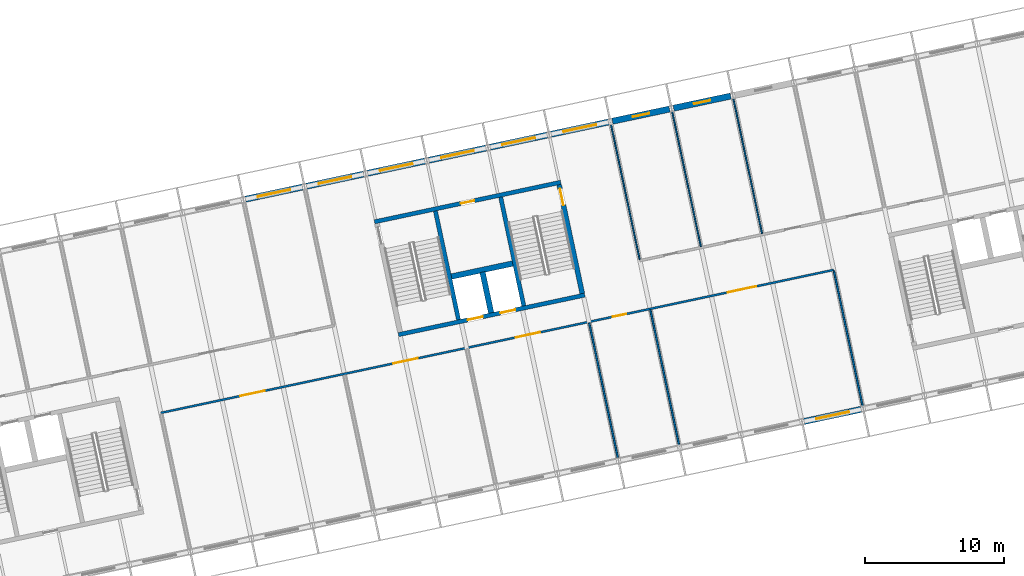
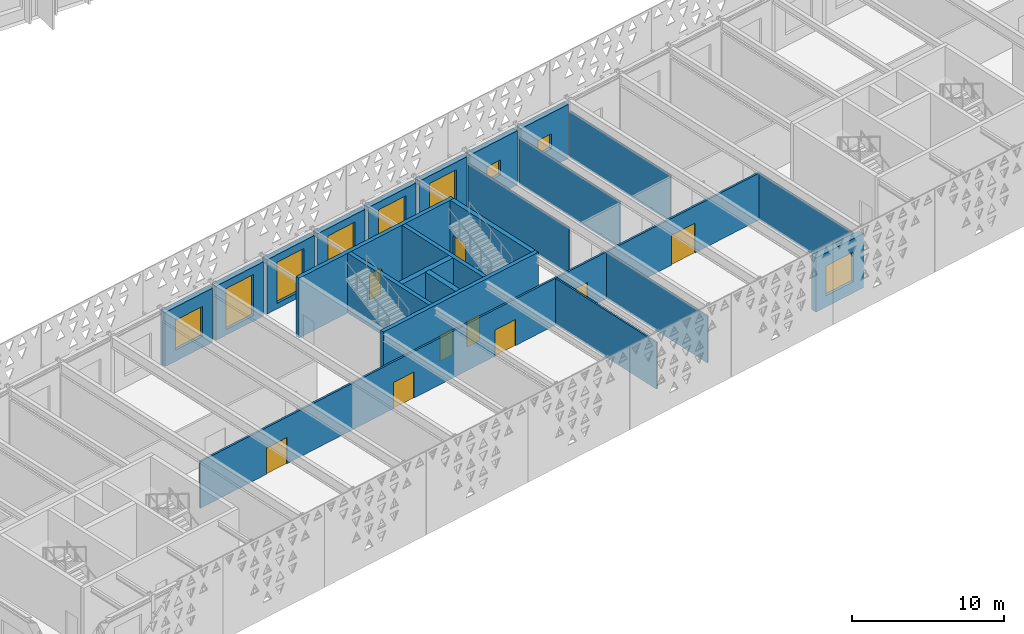
# One storey, part 124 of 182: 23 walls, 9 doors, 9 windows, 18 openings.
"""IFC4 building model written with IfcOpenShell, lengths in metres."""

from ifc_helpers import new_model, si_unit, direction, frame, frame_2d, origin, place, context, subcontext, project, spatial, rectangle, extrude, material, layer, layer_set, type_object, element, fill, save


model = new_model("IFC4")

# Units and contexts
model_context = context("Model", 3, precision=1e-05, world=origin(), true_north=direction((0.0, 1.0)))
body_context = subcontext(model_context, "Body", "Model", "MODEL_VIEW")
ifc_project = project(units=[si_unit("LENGTHUNIT", "METRE"), si_unit("AREAUNIT", "SQUARE_METRE"), si_unit("VOLUMEUNIT", "CUBIC_METRE"), si_unit("PLANEANGLEUNIT", "RADIAN"), si_unit("MASSUNIT", "GRAM", prefix="KILO")], contexts=[model_context])

# Site, building, storey
site_placement = place(None, origin())
site = spatial("IfcSite", under=ifc_project, at=site_placement, CompositionType="ELEMENT")
building_placement = place(site_placement, origin())
building = spatial("IfcBuilding", under=site, at=building_placement, Name="Okhra Congress Centre", CompositionType="ELEMENT")
storey_placement = place(building_placement, frame((0.0, 0.0, 7.199951171875)))
storey = spatial("IfcBuildingStorey", under=building, at=storey_placement, Name="L01", CompositionType="ELEMENT", Elevation=7.199951171875)

# Wall, opening, window
ifc_material_1 = material(Name="Insulated metal panel on steel stud (mineral wool, vapour barrier)", Category="steel")
ifc_layer_1 = layer(ifc_material_1, 0.449951171875)
ifc_layer_set_1 = layer_set([ifc_layer_1], Name="Insulated wall 450")
wall_type_1 = type_object("IfcWallType", Name="Insulated wall 450", PredefinedType="SOLIDWALL", material=ifc_layer_set_1)
wall_1_placement = place(storey_placement, frame((127.1826171875, 40.87451171875, 0.0), z_axis=(0.0, 0.0, 1.0), x_axis=(0.978146440129, 0.207917150959, 0.0)))
wall_1 = element("IfcWall", 1, at=wall_1_placement, inside=storey, type_object=wall_type_1, Name="External wall S16 L01", PredefinedType="SOLIDWALL", context=body_context, shape_type="SweptSolid", body=[
    extrude(rectangle(XDim=4.2001953125, YDim=0.449951171875, at=frame_2d((2.10009765625, 0.0))), origin(), (0.0, 0.0, 1.0), 4.35009765625),
])
opening_1_placement = place(wall_1_placement, frame((0.89990234375, 0.0, 0.89990234375)))
opening_1 = element("IfcOpeningElement", 2, at=opening_1_placement, cuts=wall_1, Name="Opening WN22", PredefinedType="OPENING", context=body_context, shape_type="SweptSolid", body=[
    extrude(rectangle(XDim=2.39990234375, YDim=2.39990234375, at=frame_2d((1.199951171875, 1.199951171875))), frame((0.0, 0.23486328125, 0.0), z_axis=(0.0, -1.0, 0.0), x_axis=(1.0, 0.0, 0.0)), (0.0, 0.0, 1.0), 0.469970703125),
])
ifc_material_2 = material(Name="Thermally broken aluminium frame, triple glazing", Category="aluminium")
window_type_1 = type_object("IfcWindowType", Name="Fixed window 2400x2400", PartitioningType="SINGLE_PANEL", PredefinedType="WINDOW", material=ifc_material_2)
window_1_placement = place(opening_1_placement, origin())
window_1 = element("IfcWindow", 3, at=window_1_placement, inside=storey, type_object=window_type_1, Name="BX.WIN.L01.16", OverallHeight=2.39990234375, OverallWidth=2.39990234375, PartitioningType="SINGLE_PANEL", PredefinedType="WINDOW", context=body_context, shape_type="SweptSolid", body=[
    extrude(rectangle(XDim=2.39990234375, YDim=2.39990234375, at=frame_2d((1.199951171875, 1.199951171875))), frame((0.0, 0.030029296875, 0.0), z_axis=(0.0, -1.0, 0.0), x_axis=(1.0, 0.0, 0.0)), (0.0, 0.0, 1.0), 0.06005859375),
])
fill(opening_1, window_1)

wall_2_placement = place(storey_placement, frame((86.9794921875, 56.865234375, 0.0), z_axis=(0.0, 0.0, 1.0), x_axis=(0.978143927149, 0.207928972925, 0.0)))
wall_2 = element("IfcWall", 4, at=wall_2_placement, inside=storey, type_object=wall_type_1, Name="External wall N8 L01", PredefinedType="SOLIDWALL", context=body_context, shape_type="SweptSolid", body=[
    extrude(rectangle(XDim=4.199951171875, YDim=0.449951171875, at=frame_2d((2.10009765625, 0.0))), origin(), (0.0, 0.0, 1.0), 4.35009765625),
])
opening_2_placement = place(wall_2_placement, frame((0.89990234375, 0.0, 0.89990234375)))
opening_2 = element("IfcOpeningElement", 5, at=opening_2_placement, cuts=wall_2, Name="Opening WN22", PredefinedType="OPENING", context=body_context, shape_type="SweptSolid", body=[
    extrude(rectangle(XDim=2.39990234375, YDim=2.39990234375, at=frame_2d((1.199951171875, 1.199951171875))), frame((0.0, 0.23486328125, 0.0), z_axis=(0.0, -1.0, 0.0), x_axis=(1.0, 0.0, 0.0)), (0.0, 0.0, 1.0), 0.469970703125),
])
window_2_placement = place(opening_2_placement, origin())
window_2 = element("IfcWindow", 6, at=window_2_placement, inside=storey, type_object=window_type_1, Name="BX.WIN.L01.44", OverallHeight=2.39990234375, OverallWidth=2.39990234375, PartitioningType="SINGLE_PANEL", PredefinedType="WINDOW", context=body_context, shape_type="SweptSolid", body=[
    extrude(rectangle(XDim=2.39990234375, YDim=2.39990234375, at=frame_2d((1.199951171875, 1.199951171875))), frame((0.0, 0.030029296875, 0.0), z_axis=(0.0, -1.0, 0.0), x_axis=(1.0, 0.0, 0.0)), (0.0, 0.0, 1.0), 0.06005859375),
])
fill(opening_2, window_2)

wall_3_placement = place(storey_placement, frame((91.381103515625, 57.80078125, 0.0), z_axis=(0.0, 0.0, 1.0), x_axis=(0.978143927149, 0.207928972925, 0.0)))
wall_3 = element("IfcWall", 7, at=wall_3_placement, inside=storey, type_object=wall_type_1, Name="External wall N9 L01", PredefinedType="SOLIDWALL", context=body_context, shape_type="SweptSolid", body=[
    extrude(rectangle(XDim=4.199951171875, YDim=0.449951171875, at=frame_2d((2.10009765625, 0.0))), origin(), (0.0, 0.0, 1.0), 4.35009765625),
])
opening_3_placement = place(wall_3_placement, frame((0.89990234375, 0.0, 0.449951171875)))
opening_3 = element("IfcOpeningElement", 8, at=opening_3_placement, cuts=wall_3, Name="Opening WN21", PredefinedType="OPENING", context=body_context, shape_type="SweptSolid", body=[
    extrude(rectangle(XDim=2.39990234375, YDim=3.300048828125, at=frame_2d((1.199951171875, 1.64990234375))), frame((0.0, 0.23486328125, 0.0), z_axis=(0.0, -1.0, 0.0), x_axis=(1.0, 0.0, 0.0)), (0.0, 0.0, 1.0), 0.469970703125),
])
window_type_2 = type_object("IfcWindowType", Name="Two-light window 2400x3300", PartitioningType="DOUBLE_PANEL_VERTICAL", PredefinedType="WINDOW", material=ifc_material_2)
window_3_placement = place(opening_3_placement, origin())
window_3 = element("IfcWindow", 9, at=window_3_placement, inside=storey, type_object=window_type_2, Name="BX.WIN.L01.45", OverallHeight=3.300048828125, OverallWidth=2.39990234375, PartitioningType="DOUBLE_PANEL_VERTICAL", PredefinedType="WINDOW", context=body_context, shape_type="SweptSolid", body=[
    extrude(rectangle(XDim=2.39990234375, YDim=3.300048828125, at=frame_2d((1.199951171875, 1.64990234375))), frame((0.0, 0.030029296875, 0.0), z_axis=(0.0, -1.0, 0.0), x_axis=(1.0, 0.0, 0.0)), (0.0, 0.0, 1.0), 0.06005859375),
])
fill(opening_3, window_3)

wall_4_placement = place(storey_placement, frame((95.78271484375, 58.736328125, 0.0), z_axis=(0.0, 0.0, 1.0), x_axis=(0.978146440129, 0.207917150959, 0.0)))
wall_4 = element("IfcWall", 10, at=wall_4_placement, inside=storey, type_object=wall_type_1, Name="External wall N10 L01", PredefinedType="SOLIDWALL", context=body_context, shape_type="SweptSolid", body=[
    extrude(rectangle(XDim=4.2001953125, YDim=0.449951171875, at=frame_2d((2.10009765625, 0.0))), origin(), (0.0, 0.0, 1.0), 4.35009765625),
])
opening_4_placement = place(wall_4_placement, frame((0.89990234375, 0.0, 0.449951171875)))
opening_4 = element("IfcOpeningElement", 11, at=opening_4_placement, cuts=wall_4, Name="Opening WN21", PredefinedType="OPENING", context=body_context, shape_type="SweptSolid", body=[
    extrude(rectangle(XDim=2.39990234375, YDim=3.300048828125, at=frame_2d((1.199951171875, 1.64990234375))), frame((0.0, 0.23486328125, 0.0), z_axis=(0.0, -1.0, 0.0), x_axis=(1.0, 0.0, 0.0)), (0.0, 0.0, 1.0), 0.469970703125),
])
window_4_placement = place(opening_4_placement, origin())
window_4 = element("IfcWindow", 12, at=window_4_placement, inside=storey, type_object=window_type_2, Name="BX.WIN.L01.46", OverallHeight=3.300048828125, OverallWidth=2.39990234375, PartitioningType="DOUBLE_PANEL_VERTICAL", PredefinedType="WINDOW", context=body_context, shape_type="SweptSolid", body=[
    extrude(rectangle(XDim=2.39990234375, YDim=3.300048828125, at=frame_2d((1.199951171875, 1.64990234375))), frame((0.0, 0.030029296875, 0.0), z_axis=(0.0, -1.0, 0.0), x_axis=(1.0, 0.0, 0.0)), (0.0, 0.0, 1.0), 0.06005859375),
])
fill(opening_4, window_4)

wall_5_placement = place(storey_placement, frame((100.1845703125, 59.671875, 0.0), z_axis=(0.0, 0.0, 1.0), x_axis=(0.978143927149, 0.207928972925, 0.0)))
wall_5 = element("IfcWall", 13, at=wall_5_placement, inside=storey, type_object=wall_type_1, Name="External wall N11 L01", PredefinedType="SOLIDWALL", context=body_context, shape_type="SweptSolid", body=[
    extrude(rectangle(XDim=4.199951171875, YDim=0.449951171875, at=frame_2d((2.10009765625, 0.0))), origin(), (0.0, 0.0, 1.0), 4.35009765625),
])
opening_5_placement = place(wall_5_placement, frame((0.89990234375, 0.0, 0.449951171875)))
opening_5 = element("IfcOpeningElement", 14, at=opening_5_placement, cuts=wall_5, Name="Opening WN21", PredefinedType="OPENING", context=body_context, shape_type="SweptSolid", body=[
    extrude(rectangle(XDim=2.39990234375, YDim=3.300048828125, at=frame_2d((1.199951171875, 1.64990234375))), frame((0.0, 0.23486328125, 0.0), z_axis=(0.0, -1.0, 0.0), x_axis=(1.0, 0.0, 0.0)), (0.0, 0.0, 1.0), 0.469970703125),
])
window_5_placement = place(opening_5_placement, origin())
window_5 = element("IfcWindow", 15, at=window_5_placement, inside=storey, type_object=window_type_2, Name="BX.WIN.L01.47", OverallHeight=3.300048828125, OverallWidth=2.39990234375, PartitioningType="DOUBLE_PANEL_VERTICAL", PredefinedType="WINDOW", context=body_context, shape_type="SweptSolid", body=[
    extrude(rectangle(XDim=2.39990234375, YDim=3.300048828125, at=frame_2d((1.199951171875, 1.64990234375))), frame((0.0, 0.030029296875, 0.0), z_axis=(0.0, -1.0, 0.0), x_axis=(1.0, 0.0, 0.0)), (0.0, 0.0, 1.0), 0.06005859375),
])
fill(opening_5, window_5)

wall_6_placement = place(storey_placement, frame((104.586181640625, 60.607666015625, 0.0), z_axis=(0.0, 0.0, 1.0), x_axis=(0.978155748334, 0.207873355681, 0.0)))
wall_6 = element("IfcWall", 16, at=wall_6_placement, inside=storey, type_object=wall_type_1, Name="External wall N12 L01", PredefinedType="SOLIDWALL", context=body_context, shape_type="SweptSolid", body=[
    extrude(rectangle(XDim=4.199951171875, YDim=0.449951171875, at=frame_2d((2.10009765625, 0.0))), origin(), (0.0, 0.0, 1.0), 4.35009765625),
])
opening_6_placement = place(wall_6_placement, frame((0.89990234375, 0.0, 0.449951171875)))
opening_6 = element("IfcOpeningElement", 17, at=opening_6_placement, cuts=wall_6, Name="Opening WN21", PredefinedType="OPENING", context=body_context, shape_type="SweptSolid", body=[
    extrude(rectangle(XDim=2.39990234375, YDim=3.300048828125, at=frame_2d((1.199951171875, 1.64990234375))), frame((0.0, 0.23486328125, 0.0), z_axis=(0.0, -1.0, 0.0), x_axis=(1.0, 0.0, 0.0)), (0.0, 0.0, 1.0), 0.469970703125),
])
window_6_placement = place(opening_6_placement, origin())
window_6 = element("IfcWindow", 18, at=window_6_placement, inside=storey, type_object=window_type_2, Name="BX.WIN.L01.48", OverallHeight=3.300048828125, OverallWidth=2.39990234375, PartitioningType="DOUBLE_PANEL_VERTICAL", PredefinedType="WINDOW", context=body_context, shape_type="SweptSolid", body=[
    extrude(rectangle(XDim=2.39990234375, YDim=3.300048828125, at=frame_2d((1.199951171875, 1.64990234375))), frame((0.0, 0.030029296875, 0.0), z_axis=(0.0, -1.0, 0.0), x_axis=(1.0, 0.0, 0.0)), (0.0, 0.0, 1.0), 0.06005859375),
])
fill(opening_6, window_6)

wall_7_placement = place(storey_placement, frame((108.98779296875, 61.543212890625, 0.0), z_axis=(0.0, 0.0, 1.0), x_axis=(0.978143927149, 0.207928972925, 0.0)))
wall_7 = element("IfcWall", 19, at=wall_7_placement, inside=storey, type_object=wall_type_1, Name="External wall N13 L01", PredefinedType="SOLIDWALL", context=body_context, shape_type="SweptSolid", body=[
    extrude(rectangle(XDim=4.199951171875, YDim=0.449951171875, at=frame_2d((2.10009765625, 0.0))), origin(), (0.0, 0.0, 1.0), 4.35009765625),
])
opening_7_placement = place(wall_7_placement, frame((0.89990234375, 0.0, 0.449951171875)))
opening_7 = element("IfcOpeningElement", 20, at=opening_7_placement, cuts=wall_7, Name="Opening WN21", PredefinedType="OPENING", context=body_context, shape_type="SweptSolid", body=[
    extrude(rectangle(XDim=2.39990234375, YDim=3.300048828125, at=frame_2d((1.199951171875, 1.64990234375))), frame((0.0, 0.23486328125, 0.0), z_axis=(0.0, -1.0, 0.0), x_axis=(1.0, 0.0, 0.0)), (0.0, 0.0, 1.0), 0.469970703125),
])
window_7_placement = place(opening_7_placement, origin())
window_7 = element("IfcWindow", 21, at=window_7_placement, inside=storey, type_object=window_type_2, Name="BX.WIN.L01.49", OverallHeight=3.300048828125, OverallWidth=2.39990234375, PartitioningType="DOUBLE_PANEL_VERTICAL", PredefinedType="WINDOW", context=body_context, shape_type="SweptSolid", body=[
    extrude(rectangle(XDim=2.39990234375, YDim=3.300048828125, at=frame_2d((1.199951171875, 1.64990234375))), frame((0.0, 0.030029296875, 0.0), z_axis=(0.0, -1.0, 0.0), x_axis=(1.0, 0.0, 0.0)), (0.0, 0.0, 1.0), 0.06005859375),
])
fill(opening_7, window_7)

wall_8_placement = place(storey_placement, frame((113.389404296875, 62.478759765625, 0.0), z_axis=(0.0, 0.0, 1.0), x_axis=(0.978146440129, 0.207917150959, 0.0)))
wall_8 = element("IfcWall", 22, at=wall_8_placement, inside=storey, type_object=wall_type_1, Name="External wall N14 L01", PredefinedType="SOLIDWALL", context=body_context, shape_type="SweptSolid", body=[
    extrude(rectangle(XDim=4.2001953125, YDim=0.449951171875, at=frame_2d((2.10009765625, 0.0))), origin(), (0.0, 0.0, 1.0), 4.35009765625),
])
opening_8_placement = place(wall_8_placement, frame((1.5, 0.0, 1.5)))
opening_8 = element("IfcOpeningElement", 23, at=opening_8_placement, cuts=wall_8, Name="Opening WN24", PredefinedType="OPENING", context=body_context, shape_type="SweptSolid", body=[
    extrude(rectangle(XDim=1.199951171875, YDim=1.199951171875, at=frame_2d((0.60009765625, 0.60009765625))), frame((0.0, 0.23486328125, 0.0), z_axis=(0.0, -1.0, 0.0), x_axis=(1.0, 0.0, 0.0)), (0.0, 0.0, 1.0), 0.469970703125),
])
window_type_3 = type_object("IfcWindowType", Name="Tilt-and-turn window 1200x1200", PartitioningType="SINGLE_PANEL", PredefinedType="WINDOW", material=ifc_material_2)
window_8_placement = place(opening_8_placement, origin())
window_8 = element("IfcWindow", 24, at=window_8_placement, inside=storey, type_object=window_type_3, Name="BX.WIN.L01.50", OverallHeight=1.199951171875, OverallWidth=1.199951171875, PartitioningType="SINGLE_PANEL", PredefinedType="WINDOW", context=body_context, shape_type="SweptSolid", body=[
    extrude(rectangle(XDim=1.199951171875, YDim=1.199951171875, at=frame_2d((0.60009765625, 0.60009765625))), frame((0.0, 0.030029296875, 0.0), z_axis=(0.0, -1.0, 0.0), x_axis=(1.0, 0.0, 0.0)), (0.0, 0.0, 1.0), 0.06005859375),
])
fill(opening_8, window_8)

wall_9_placement = place(storey_placement, frame((117.791015625, 63.414306640625, 0.0), z_axis=(0.0, 0.0, 1.0), x_axis=(0.978146440129, 0.207917150959, 0.0)))
wall_9 = element("IfcWall", 25, at=wall_9_placement, inside=storey, type_object=wall_type_1, Name="External wall N15 L01", PredefinedType="SOLIDWALL", context=body_context, shape_type="SweptSolid", body=[
    extrude(rectangle(XDim=4.2001953125, YDim=0.449951171875, at=frame_2d((2.10009765625, 0.0))), origin(), (0.0, 0.0, 1.0), 4.35009765625),
])
opening_9_placement = place(wall_9_placement, frame((1.5, 0.0, 1.5)))
opening_9 = element("IfcOpeningElement", 26, at=opening_9_placement, cuts=wall_9, Name="Opening WN24", PredefinedType="OPENING", context=body_context, shape_type="SweptSolid", body=[
    extrude(rectangle(XDim=1.199951171875, YDim=1.199951171875, at=frame_2d((0.60009765625, 0.60009765625))), frame((0.0, 0.23486328125, 0.0), z_axis=(0.0, -1.0, 0.0), x_axis=(1.0, 0.0, 0.0)), (0.0, 0.0, 1.0), 0.469970703125),
])
window_9_placement = place(opening_9_placement, origin())
window_9 = element("IfcWindow", 27, at=window_9_placement, inside=storey, type_object=window_type_3, Name="BX.WIN.L01.51", OverallHeight=1.199951171875, OverallWidth=1.199951171875, PartitioningType="SINGLE_PANEL", PredefinedType="WINDOW", context=body_context, shape_type="SweptSolid", body=[
    extrude(rectangle(XDim=1.199951171875, YDim=1.199951171875, at=frame_2d((0.60009765625, 0.60009765625))), frame((0.0, 0.030029296875, 0.0), z_axis=(0.0, -1.0, 0.0), x_axis=(1.0, 0.0, 0.0)), (0.0, 0.0, 1.0), 0.06005859375),
])
fill(opening_9, window_9)

# Walls
ifc_material_3 = material(Name="Gypsum board on steel studs", Category="steel")
ifc_layer_2 = layer(ifc_material_3, 0.10009765625)
ifc_layer_set_2 = layer_set([ifc_layer_2], Name="Partition 100")
wall_type_2 = type_object("IfcWallType", Name="Partition 100", PredefinedType="PARTITIONING", material=ifc_layer_set_2)
for number, where, z_axis, x_axis, name in (
    (28, (113.28955078125, 62.2275390625, 0.0), (0.0, 0.0, 1.0), (0.20790935802, -0.978148096582, 0.0), "Partition N L01"),
    (29, (117.691162109375, 63.1630859375, 0.0), (0.0, 0.0, 1.0), (0.20790935802, -0.978148096582, 0.0), "Partition N L01"),
):
    element("IfcWall", number, at=place(storey_placement, frame(where, z_axis=z_axis, x_axis=x_axis)), inside=storey, type_object=wall_type_2, Name=name, PredefinedType="PARTITIONING", context=body_context, shape_type="SweptSolid", body=[
        extrude(rectangle(XDim=9.9248046875, YDim=0.10009765625, at=frame_2d((4.96240234375, 0.0))), origin(), (0.0, 0.0, 1.0), 3.75),
    ])
wall_10_placement = place(storey_placement, frame((122.0927734375, 64.0986328125, 0.0), z_axis=(0.0, 0.0, 1.0), x_axis=(0.207932893358, -0.978143093754, 0.0)))
element("IfcWall", 30, at=wall_10_placement, inside=storey, type_object=wall_type_2, Name="Partition N L01", PredefinedType="PARTITIONING", context=body_context, shape_type="SweptSolid", body=[
    extrude(rectangle(XDim=9.925048828125, YDim=0.10009765625, at=frame_2d((4.96240234375, 0.0))), origin(), (0.0, 0.0, 1.0), 3.75),
])
ifc_layer_3 = layer(ifc_material_3, 0.125)
ifc_layer_set_3 = layer_set([ifc_layer_3], Name="Partition 125")
wall_type_3 = type_object("IfcWallType", Name="Partition 125", PredefinedType="PARTITIONING", material=ifc_layer_set_3)
wall_11_placement = place(storey_placement, frame((131.390869140625, 41.9990234375, 0.0), z_axis=(0.0, 0.0, 1.0), x_axis=(-0.20790935802, 0.978148096582, 0.0)))
element("IfcWall", 31, at=wall_11_placement, inside=storey, type_object=wall_type_3, Name="Partition S L01", PredefinedType="PARTITIONING", context=body_context, shape_type="SweptSolid", body=[
    extrude(rectangle(XDim=9.9248046875, YDim=0.125, at=frame_2d((4.96240234375, 0.0))), origin(), (0.0, 0.0, 1.0), 3.75),
])
ifc_layer_4 = layer(ifc_material_3, 0.125)
ifc_layer_set_4 = layer_set([ifc_layer_4], Name="Partition 125 EI 45")
wall_type_4 = type_object("IfcWallType", Name="Partition 125 EI 45", PredefinedType="PARTITIONING", material=ifc_layer_set_4)
wall_12_placement = place(storey_placement, frame((113.7841796875, 38.256591796875, 0.0), z_axis=(0.0, 0.0, 1.0), x_axis=(-0.20790935802, 0.978148096582, 0.0)))
element("IfcWall", 32, at=wall_12_placement, inside=storey, type_object=wall_type_4, Name="Partition S L01", PredefinedType="PARTITIONING", context=body_context, shape_type="SweptSolid", body=[
    extrude(rectangle(XDim=9.9248046875, YDim=0.125, at=frame_2d((4.96240234375, 0.0))), origin(), (0.0, 0.0, 1.0), 3.75),
])
wall_13_placement = place(storey_placement, frame((118.185791015625, 39.192138671875, 0.0), z_axis=(0.0, 0.0, 1.0), x_axis=(-0.207904355568, 0.978149159861, 0.0)))
element("IfcWall", 33, at=wall_13_placement, inside=storey, type_object=wall_type_4, Name="Partition S L01", PredefinedType="PARTITIONING", context=body_context, shape_type="SweptSolid", body=[
    extrude(rectangle(XDim=9.925048828125, YDim=0.125, at=frame_2d((4.96240234375, 0.0))), origin(), (0.0, 0.0, 1.0), 3.75),
])

# Wall, openings, doors
ifc_layer_5 = layer(ifc_material_3, 0.14990234375)
ifc_layer_set_5 = layer_set([ifc_layer_5], Name="Partition 150 EI 15")
wall_type_5 = type_object("IfcWallType", Name="Partition 150 EI 15", PredefinedType="PARTITIONING", material=ifc_layer_set_5)
wall_14_placement = place(storey_placement, frame((80.893310546875, 41.48876953125, 0.0), z_axis=(0.0, 0.0, 1.0), x_axis=(0.97814724207, 0.20791337819, 0.0)))
wall_14 = element("IfcWall", 34, at=wall_14_placement, inside=storey, type_object=wall_type_5, Name="Corridor wall S1 L01", PredefinedType="PARTITIONING", context=body_context, shape_type="SweptSolid", body=[
    extrude(rectangle(XDim=49.500244140625, YDim=0.14990234375, at=frame_2d((24.75, 0.0))), origin(), (0.0, 0.0, 1.0), 3.75),
])
opening_10_placement = place(wall_14_placement, frame((5.85009765625, 0.0, 0.0)))
opening_10 = element("IfcOpeningElement", 35, at=opening_10_placement, cuts=wall_14, Name="Opening L01-122", PredefinedType="OPENING", context=body_context, shape_type="SweptSolid", body=[
    extrude(rectangle(XDim=1.800048828125, YDim=2.10009765625, at=frame_2d((0.89990234375, 1.050048828125))), frame((0.0, 0.0849609375, 0.0), z_axis=(0.0, -1.0, 0.0), x_axis=(1.0, 0.0, 0.0)), (0.0, 0.0, 1.0), 0.169921875),
])
opening_11_placement = place(wall_14_placement, frame((17.10009765625, 0.0, 0.0)))
opening_11 = element("IfcOpeningElement", 36, at=opening_11_placement, cuts=wall_14, Name="Opening L01-123", PredefinedType="OPENING", context=body_context, shape_type="SweptSolid", body=[
    extrude(rectangle(XDim=1.800048828125, YDim=2.10009765625, at=frame_2d((0.89990234375, 1.050048828125))), frame((0.0, 0.0849609375, 0.0), z_axis=(0.0, -1.0, 0.0), x_axis=(1.0, 0.0, 0.0)), (0.0, 0.0, 1.0), 0.169921875),
])
opening_12_placement = place(wall_14_placement, frame((26.10009765625, 0.0, 0.0)))
opening_12 = element("IfcOpeningElement", 37, at=opening_12_placement, cuts=wall_14, Name="Opening L01-124", PredefinedType="OPENING", context=body_context, shape_type="SweptSolid", body=[
    extrude(rectangle(XDim=1.800048828125, YDim=2.10009765625, at=frame_2d((0.89990234375, 1.050048828125))), frame((0.0, 0.0849609375, 0.0), z_axis=(0.0, -1.0, 0.0), x_axis=(1.0, 0.0, 0.0)), (0.0, 0.0, 1.0), 0.169921875),
])
opening_13_placement = place(wall_14_placement, frame((33.25, 0.0, 0.0)))
opening_13 = element("IfcOpeningElement", 38, at=opening_13_placement, cuts=wall_14, Name="Opening L01-125", PredefinedType="OPENING", context=body_context, shape_type="SweptSolid", body=[
    extrude(rectangle(XDim=1.0, YDim=2.10009765625, at=frame_2d((0.5, 1.050048828125))), frame((0.0, 0.0849609375, 0.0), z_axis=(0.0, -1.0, 0.0), x_axis=(1.0, 0.0, 0.0)), (0.0, 0.0, 1.0), 0.169921875),
])
opening_14_placement = place(wall_14_placement, frame((41.699951171875, 0.0, 0.0)))
opening_14 = element("IfcOpeningElement", 39, at=opening_14_placement, cuts=wall_14, Name="Opening L01-126", PredefinedType="OPENING", context=body_context, shape_type="SweptSolid", body=[
    extrude(rectangle(XDim=2.10009765625, YDim=2.39990234375, at=frame_2d((1.050048828125, 1.199951171875))), frame((0.0, 0.0849609375, 0.0), z_axis=(0.0, -1.0, 0.0), x_axis=(1.0, 0.0, 0.0)), (0.0, 0.0, 1.0), 0.169921875),
])
ifc_material_4 = material(Name="Timber door leaves in steel frame", Category="steel")
door_type_1 = type_object("IfcDoorType", Name="Double swing door 1800x2100", OperationType="NOTDEFINED", PredefinedType="DOOR", material=ifc_material_4)
door_1_placement = place(opening_10_placement, origin())
door_1 = element("IfcDoor", 40, at=door_1_placement, inside=storey, type_object=door_type_1, Name="Door L01-122", OperationType="DOUBLE_DOOR_SINGLE_SWING", OverallHeight=2.10009765625, OverallWidth=1.800048828125, PredefinedType="DOOR", context=body_context, shape_type="SweptSolid", body=[
    extrude(rectangle(XDim=1.800048828125, YDim=2.10009765625, at=frame_2d((0.89990234375, 1.050048828125))), frame((0.0, 0.02490234375, 0.0), z_axis=(0.0, -1.0, 0.0), x_axis=(1.0, 0.0, 0.0)), (0.0, 0.0, 1.0), 0.050048828125),
])
fill(opening_10, door_1)
door_2_placement = place(opening_11_placement, origin())
door_2 = element("IfcDoor", 41, at=door_2_placement, inside=storey, type_object=door_type_1, Name="Door L01-123", OperationType="DOUBLE_DOOR_SINGLE_SWING", OverallHeight=2.10009765625, OverallWidth=1.800048828125, PredefinedType="DOOR", context=body_context, shape_type="SweptSolid", body=[
    extrude(rectangle(XDim=1.800048828125, YDim=2.10009765625, at=frame_2d((0.89990234375, 1.050048828125))), frame((0.0, 0.02490234375, 0.0), z_axis=(0.0, -1.0, 0.0), x_axis=(1.0, 0.0, 0.0)), (0.0, 0.0, 1.0), 0.050048828125),
])
fill(opening_11, door_2)
door_3_placement = place(opening_12_placement, origin())
door_3 = element("IfcDoor", 42, at=door_3_placement, inside=storey, type_object=door_type_1, Name="Door L01-124", OperationType="DOUBLE_DOOR_SINGLE_SWING", OverallHeight=2.10009765625, OverallWidth=1.800048828125, PredefinedType="DOOR", context=body_context, shape_type="SweptSolid", body=[
    extrude(rectangle(XDim=1.800048828125, YDim=2.10009765625, at=frame_2d((0.89990234375, 1.050048828125))), frame((0.0, 0.02490234375, 0.0), z_axis=(0.0, -1.0, 0.0), x_axis=(1.0, 0.0, 0.0)), (0.0, 0.0, 1.0), 0.050048828125),
])
fill(opening_12, door_3)
door_type_2 = type_object("IfcDoorType", Name="Double swing door 2100x2400", OperationType="NOTDEFINED", PredefinedType="DOOR", material=ifc_material_4)
door_4_placement = place(opening_14_placement, origin())
door_4 = element("IfcDoor", 43, at=door_4_placement, inside=storey, type_object=door_type_2, Name="Door L01-126", OperationType="DOUBLE_DOOR_SINGLE_SWING", OverallHeight=2.39990234375, OverallWidth=2.10009765625, PredefinedType="DOOR", context=body_context, shape_type="SweptSolid", body=[
    extrude(rectangle(XDim=2.10009765625, YDim=2.39990234375, at=frame_2d((1.050048828125, 1.199951171875))), frame((0.0, 0.02490234375, 0.0), z_axis=(0.0, -1.0, 0.0), x_axis=(1.0, 0.0, 0.0)), (0.0, 0.0, 1.0), 0.050048828125),
])
fill(opening_14, door_4)
ifc_material_5 = material(Name="Steel fire door leaf in steel frame, intumescent seals", Category="steel")
door_type_3 = type_object("IfcDoorType", Name="Steel fire door 1000x2100 EI 30", OperationType="NOTDEFINED", PredefinedType="DOOR", material=ifc_material_5)
door_5_placement = place(opening_13_placement, frame((1.0, 0.0, 0.0), z_axis=(0.0, 0.0, 1.0), x_axis=(-1.0, 0.0, 0.0)))
door_5 = element("IfcDoor", 44, at=door_5_placement, inside=storey, type_object=door_type_3, Name="Door L01-125", OperationType="SINGLE_SWING_RIGHT", OverallHeight=2.10009765625, OverallWidth=1.0, PredefinedType="DOOR", context=body_context, shape_type="SweptSolid", body=[
    extrude(rectangle(XDim=1.0, YDim=2.10009765625, at=frame_2d((0.5, 1.050048828125))), frame((0.0, 0.02490234375, 0.0), z_axis=(0.0, -1.0, 0.0), x_axis=(1.0, 0.0, 0.0)), (0.0, 0.0, 1.0), 0.050048828125),
])
fill(opening_13, door_5)

# Wall, opening, door
ifc_material_6 = material(Name="Concrete C35/45", Category="concrete")
ifc_layer_6 = layer(ifc_material_6, 0.300048828125)
ifc_layer_set_6 = layer_set([ifc_layer_6], Name="RC core wall 300 REI 120 C35/45")
wall_type_6 = type_object("IfcWallType", Name="RC core wall 300 REI 120 C35/45", PredefinedType="SHEAR", material=ifc_layer_set_6)
wall_15_placement = place(storey_placement, frame((96.271240234375, 55.236328125, 0.0), z_axis=(0.0, 0.0, 1.0), x_axis=(0.978147662755, 0.20791139903, 0.0)))
wall_15 = element("IfcWall", 45, at=wall_15_placement, inside=storey, type_object=wall_type_6, Name="BX.WALL.L01.K2S", PredefinedType="SHEAR", context=body_context, shape_type="SweptSolid", body=[
    extrude(rectangle(XDim=13.699951171875, YDim=0.300048828125, at=frame_2d((6.85009765625, 0.0))), origin(), (0.0, 0.0, 1.0), 4.800048828125),
])
opening_15_placement = place(wall_15_placement, frame((6.35009765625, 0.0, 0.0)))
opening_15 = element("IfcOpeningElement", 46, at=opening_15_placement, cuts=wall_15, Name="Opening L01-106", PredefinedType="OPENING", context=body_context, shape_type="SweptSolid", body=[
    extrude(rectangle(XDim=1.0, YDim=2.10009765625, at=frame_2d((0.5, 1.050048828125))), frame((0.0, 0.159912109375, 0.0), z_axis=(0.0, -1.0, 0.0), x_axis=(1.0, 0.0, 0.0)), (0.0, 0.0, 1.0), 0.320068359375),
])
door_6_placement = place(opening_15_placement, frame((1.0, 0.0, 0.0), z_axis=(0.0, 0.0, 1.0), x_axis=(-1.0, 0.0, 0.0)))
door_6 = element("IfcDoor", 47, at=door_6_placement, inside=storey, type_object=door_type_3, Name="Door L01-106", OperationType="SINGLE_SWING_LEFT", OverallHeight=2.10009765625, OverallWidth=1.0, PredefinedType="DOOR", context=body_context, shape_type="SweptSolid", body=[
    extrude(rectangle(XDim=1.0, YDim=2.10009765625, at=frame_2d((0.5, 1.050048828125))), frame((0.0, 0.02490234375, 0.0), z_axis=(0.0, -1.0, 0.0), x_axis=(1.0, 0.0, 0.0)), (0.0, 0.0, 1.0), 0.050048828125),
])
fill(opening_15, door_6)

# Wall, openings, doors
wall_16_placement = place(storey_placement, frame((97.996826171875, 47.117919921875, 0.0), z_axis=(0.0, 0.0, 1.0), x_axis=(0.978147662755, 0.20791139903, 0.0)))
wall_16 = element("IfcWall", 48, at=wall_16_placement, inside=storey, type_object=wall_type_6, Name="BX.WALL.L01.K2T", PredefinedType="SHEAR", context=body_context, shape_type="SweptSolid", body=[
    extrude(rectangle(XDim=13.699951171875, YDim=0.300048828125, at=frame_2d((6.85009765625, 0.0))), origin(), (0.0, 0.0, 1.0), 4.800048828125),
])
opening_16_placement = place(wall_16_placement, frame((5.10009765625, 0.0, 0.0)))
opening_16 = element("IfcOpeningElement", 49, at=opening_16_placement, cuts=wall_16, Name="Opening L01-102", PredefinedType="OPENING", context=body_context, shape_type="SweptSolid", body=[
    extrude(rectangle(XDim=1.10009765625, YDim=2.10009765625, at=frame_2d((0.550048828125, 1.050048828125))), frame((0.0, 0.159912109375, 0.0), z_axis=(0.0, -1.0, 0.0), x_axis=(1.0, 0.0, 0.0)), (0.0, 0.0, 1.0), 0.320068359375),
])
opening_17_placement = place(wall_16_placement, frame((7.5, 0.0, 0.0)))
opening_17 = element("IfcOpeningElement", 50, at=opening_17_placement, cuts=wall_16, Name="Opening L01-103", PredefinedType="OPENING", context=body_context, shape_type="SweptSolid", body=[
    extrude(rectangle(XDim=1.10009765625, YDim=2.10009765625, at=frame_2d((0.550048828125, 1.050048828125))), frame((0.0, 0.159912109375, 0.0), z_axis=(0.0, -1.0, 0.0), x_axis=(1.0, 0.0, 0.0)), (0.0, 0.0, 1.0), 0.320068359375),
])
ifc_material_7 = material(Name="Stainless steel sliding landing door leaves", Category="steel")
door_type_4 = type_object("IfcDoorType", Name="Lift landing door 1100x2100 EI 30", OperationType="DOUBLE_DOOR_SLIDING", PredefinedType="DOOR", material=ifc_material_7)
door_7_placement = place(opening_16_placement, frame((1.10009765625, 0.0, 0.0), z_axis=(0.0, 0.0, 1.0), x_axis=(-1.0, 0.0, 0.0)))
door_7 = element("IfcDoor", 51, at=door_7_placement, inside=storey, type_object=door_type_4, Name="Door L01-102", OperationType="DOUBLE_DOOR_SLIDING", OverallHeight=2.10009765625, OverallWidth=1.10009765625, PredefinedType="DOOR", context=body_context, shape_type="SweptSolid", body=[
    extrude(rectangle(XDim=1.10009765625, YDim=2.10009765625, at=frame_2d((0.550048828125, 1.050048828125))), frame((0.0, 0.02490234375, 0.0), z_axis=(0.0, -1.0, 0.0), x_axis=(1.0, 0.0, 0.0)), (0.0, 0.0, 1.0), 0.050048828125),
])
fill(opening_16, door_7)
door_8_placement = place(opening_17_placement, frame((1.10009765625, 0.0, 0.0), z_axis=(0.0, 0.0, 1.0), x_axis=(-1.0, 0.0, 0.0)))
door_8 = element("IfcDoor", 52, at=door_8_placement, inside=storey, type_object=door_type_4, Name="Door L01-103", OperationType="DOUBLE_DOOR_SLIDING", OverallHeight=2.10009765625, OverallWidth=1.10009765625, PredefinedType="DOOR", context=body_context, shape_type="SweptSolid", body=[
    extrude(rectangle(XDim=1.10009765625, YDim=2.10009765625, at=frame_2d((0.550048828125, 1.050048828125))), frame((0.0, 0.02490234375, 0.0), z_axis=(0.0, -1.0, 0.0), x_axis=(1.0, 0.0, 0.0)), (0.0, 0.0, 1.0), 0.050048828125),
])
fill(opening_17, door_8)

# Walls
for number, where, z_axis, x_axis, name in (
    (53, (100.655029296875, 56.014892578125, 0.0), (0.0, 0.0, 1.0), (0.207915693476, -0.978146749934, 0.0), "BX.WALL.L01.K2P1"),
    (54, (105.35009765625, 57.012939453125, 0.0), (0.0, 0.0, 1.0), (0.207915693476, -0.978146749934, 0.0), "BX.WALL.L01.K2P2"),
):
    element("IfcWall", number, at=place(storey_placement, frame(where, z_axis=z_axis, x_axis=x_axis)), inside=storey, type_object=wall_type_6, Name=name, PredefinedType="SHEAR", context=body_context, shape_type="SweptSolid", body=[
        extrude(rectangle(XDim=8.0, YDim=0.300048828125, at=frame_2d((4.0, 0.0))), origin(), (0.0, 0.0, 1.0), 4.800048828125),
    ])
ifc_layer_7 = layer(ifc_material_6, 0.39990234375)
ifc_layer_set_7 = layer_set([ifc_layer_7], Name="RC core wall 400 REI 120 C35/45")
wall_type_7 = type_object("IfcWallType", Name="RC core wall 400 REI 120 C35/45", PredefinedType="SHEAR", material=ifc_layer_set_7)
wall_17_placement = place(storey_placement, frame((104.042236328125, 51.623291015625, 0.0), z_axis=(0.0, 0.0, 1.0), x_axis=(0.207917150959, -0.978146440129, 0.0)))
element("IfcWall", 55, at=wall_17_placement, inside=storey, type_object=wall_type_7, Name="BX.WALL.L01.K2D", PredefinedType="SHEAR", context=body_context, shape_type="SweptSolid", body=[
    extrude(rectangle(XDim=3.000244140625, YDim=0.39990234375, at=frame_2d((1.5, 0.0))), origin(), (0.0, 0.0, 1.0), 4.800048828125),
])
wall_18_placement = place(storey_placement, frame((101.810302734375, 51.302001953125, 0.0), z_axis=(0.0, 0.0, 1.0), x_axis=(0.978138577198, 0.207954138688, 0.0)))
element("IfcWall", 56, at=wall_18_placement, inside=storey, type_object=wall_type_7, Name="BX.WALL.L01.K2R", PredefinedType="SHEAR", context=body_context, shape_type="SweptSolid", body=[
    extrude(rectangle(XDim=4.5, YDim=0.39990234375, at=frame_2d((2.25, 0.0))), origin(), (0.0, 0.0, 1.0), 4.800048828125),
])

# Wall, opening, door
ifc_material_8 = material(Name="Concrete C30/37", Category="concrete")
ifc_layer_8 = layer(ifc_material_8, 0.35009765625)
ifc_layer_set_8 = layer_set([ifc_layer_8], Name="RC wall 350 REI 120 C30/37")
wall_type_8 = type_object("IfcWallType", Name="RC wall 350 REI 120 C30/37", PredefinedType="SOLIDWALL", material=ifc_layer_set_8)
wall_19_placement = place(storey_placement, frame((109.55615234375, 57.906982421875, 0.0), z_axis=(0.0, 0.0, 1.0), x_axis=(0.207915693476, -0.978146749934, 0.0)))
wall_19 = element("IfcWall", 57, at=wall_19_placement, inside=storey, type_object=wall_type_8, Name="BX.WALL.L01.K2E", PredefinedType="SOLIDWALL", context=body_context, shape_type="SweptSolid", body=[
    extrude(rectangle(XDim=8.0, YDim=0.35009765625, at=frame_2d((4.0, 0.0))), origin(), (0.0, 0.0, 1.0), 4.800048828125),
])
opening_18_placement = place(wall_19_placement, frame((0.300048828125, 0.0, 0.0)))
opening_18 = element("IfcOpeningElement", 58, at=opening_18_placement, cuts=wall_19, Name="Opening L01-105", PredefinedType="OPENING", context=body_context, shape_type="SweptSolid", body=[
    extrude(rectangle(XDim=1.199951171875, YDim=2.10009765625, at=frame_2d((0.60009765625, 1.050048828125))), frame((0.0, 0.18505859375, 0.0), z_axis=(0.0, -1.0, 0.0), x_axis=(1.0, 0.0, 0.0)), (0.0, 0.0, 1.0), 0.3701171875),
])
door_type_5 = type_object("IfcDoorType", Name="Steel fire door 1200x2100 EI 30", OperationType="NOTDEFINED", PredefinedType="DOOR", material=ifc_material_5)
door_9_placement = place(opening_18_placement, origin())
door_9 = element("IfcDoor", 59, at=door_9_placement, inside=storey, type_object=door_type_5, Name="Door L01-105", OperationType="SINGLE_SWING_RIGHT", OverallHeight=2.10009765625, OverallWidth=1.199951171875, PredefinedType="DOOR", context=body_context, shape_type="SweptSolid", body=[
    extrude(rectangle(XDim=1.199951171875, YDim=2.10009765625, at=frame_2d((0.60009765625, 1.050048828125))), frame((0.0, 0.02490234375, 0.0), z_axis=(0.0, -1.0, 0.0), x_axis=(1.0, 0.0, 0.0)), (0.0, 0.0, 1.0), 0.050048828125),
])
fill(opening_18, door_9)

save(model, "model.ifc")
